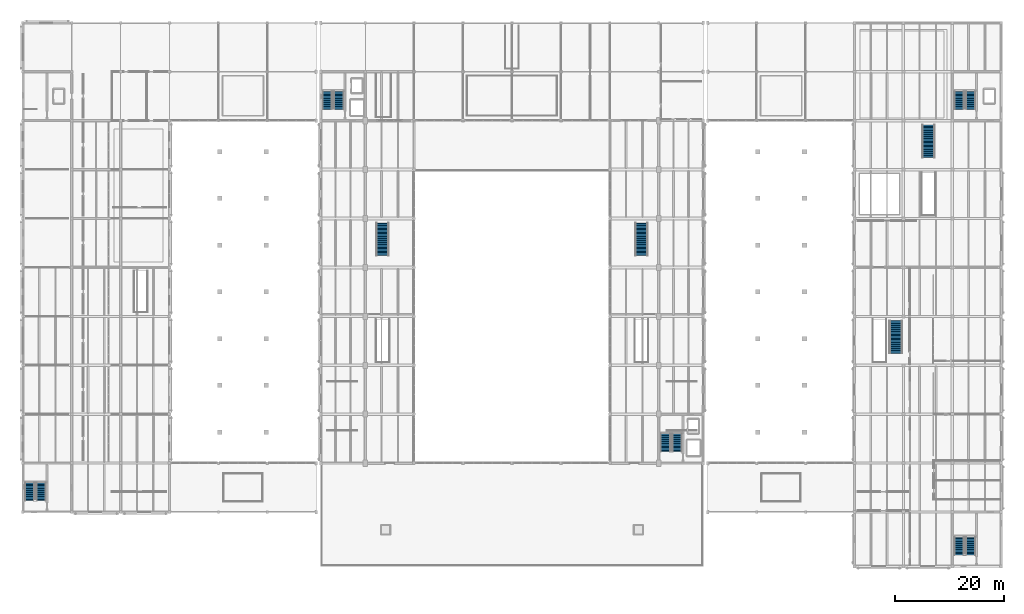
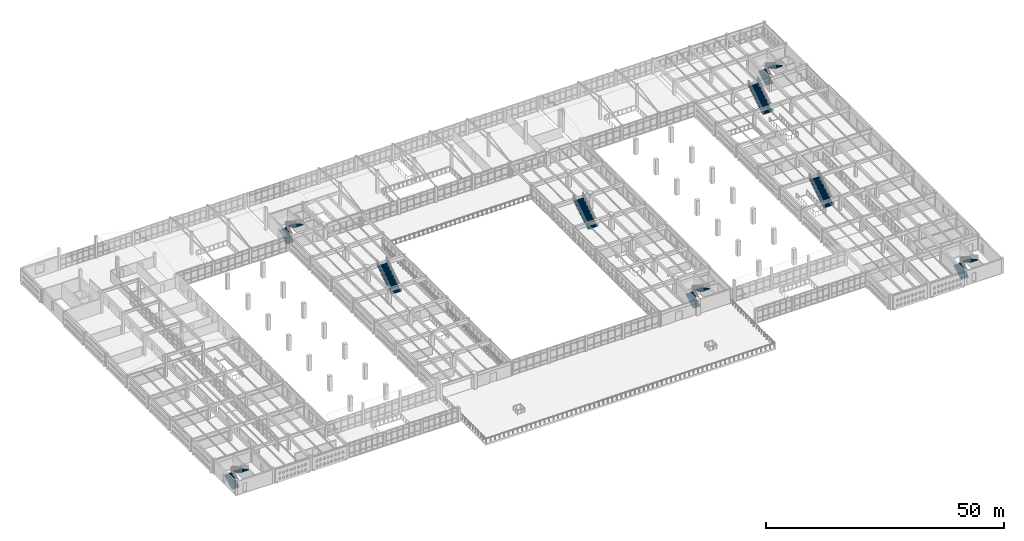
# One storey, part 137 of 156: 14 stair flights, 9 elements without a shape of their own.
"""IFC4 building model written with IfcOpenShell, lengths in metres."""

from ifc_helpers import new_model, si_unit, direction, frame, origin, place, context, subcontext, project, spatial, polyline, outline, extrude, material, type_object, element, aggregate, save


model = new_model("IFC4")

# Units and contexts
model_context = context("Model", 3, precision=1e-05, world=origin(), true_north=direction((0.0, 1.0)))
body_context = subcontext(model_context, "Body", "Model", "MODEL_VIEW")
ifc_project = project(units=[si_unit("LENGTHUNIT", "METRE"), si_unit("AREAUNIT", "SQUARE_METRE"), si_unit("VOLUMEUNIT", "CUBIC_METRE"), si_unit("PLANEANGLEUNIT", "RADIAN"), si_unit("MASSUNIT", "GRAM", prefix="KILO")], contexts=[model_context])

# Site, building, storey
site_placement = place(None, origin())
site = spatial("IfcSite", under=ifc_project, at=site_placement, CompositionType="ELEMENT")
building_placement = place(site_placement, origin())
building = spatial("IfcBuilding", under=site, at=building_placement, Name="Ornek Quay Market", CompositionType="ELEMENT")
storey_placement = place(building_placement, frame((0.0, 0.0, 4.5)))
storey = spatial("IfcBuildingStorey", under=building, at=storey_placement, Name="L01", CompositionType="ELEMENT", Elevation=4.5)

# Stair, stair flight
ifc_material = material(Name="Precast concrete C40/50", Category="concrete")
stair_type_1 = type_object("IfcStairType", Name="ST-CORE-L03-RF", PredefinedType="HALF_TURN_STAIR", material=ifc_material)
stair_1_placement = place(storey_placement, origin())
stair_1 = element("IfcStair", 1, at=stair_1_placement, inside=storey, type_object=stair_type_1, Name="Gallery stair ST-16 (L01 to L02)", PredefinedType="HALF_TURN_STAIR")
stair_flight_type_1 = type_object("IfcStairFlightType", Name="STF-1350-WAIST165", PredefinedType="STRAIGHT", material=ifc_material)
stair_flight_1_placement = place(storey_placement, frame((160.60009765625, 49.2041015625, 0.0), z_axis=(0.0, 0.0, 1.0), x_axis=(0.0, 1.0, 0.0)))
stair_flight_1 = element("IfcStairFlight", 2, at=stair_flight_1_placement, type_object=stair_flight_type_1, Name="ST-16 flight 1", NumberOfRisers=25, NumberOfTreads=24, PredefinedType="STRAIGHT", RiserHeight=0.156, TreadLength=0.25, context=body_context, shape_type="SweptSolid", body=[
    extrude(outline(polyline([(0.0, 0.0), (0.0, 0.156005859375), (0.25, 0.156005859375), (0.25, 0.31201171875), (0.5, 0.31201171875), (0.5, 0.468017578125), (0.75, 0.468017578125), (0.75, 0.6240234375), (1.0, 0.6240234375), (1.0, 0.780029296875), (1.25, 0.780029296875), (1.25, 0.93603515625), (1.5, 0.93603515625), (1.5, 1.092041015625), (1.75, 1.092041015625), (1.75, 1.248046875), (2.0, 1.248046875), (2.0, 1.404052734375), (2.25, 1.404052734375), (2.25, 1.56005859375), (2.5, 1.56005859375), (2.5, 1.716064453125), (2.75, 1.716064453125), (2.75, 1.8720703125), (3.0, 1.8720703125), (3.0, 2.028076171875), (3.25, 2.028076171875), (3.25, 2.18408203125), (3.5, 2.18408203125), (3.5, 2.340087890625), (3.75, 2.340087890625), (3.75, 2.49609375), (4.0, 2.49609375), (4.0, 2.652099609375), (4.25, 2.652099609375), (4.25, 2.80810546875), (4.5, 2.80810546875), (4.5, 2.964111328125), (4.75, 2.964111328125), (4.75, 3.1201171875), (5.0, 3.1201171875), (5.0, 3.27587890625), (5.25, 3.27587890625), (5.25, 3.431884765625), (5.5, 3.431884765625), (5.5, 3.587890625), (5.75, 3.587890625), (5.75, 3.743896484375), (6.0, 3.743896484375), (6.0, 3.89990234375), (6.0, 3.531982421875), (0.33984375, 0.0), (0.0, 0.0)])), frame((0.0, 1.18017578125, 0.0), z_axis=(0.0, -1.0, 0.0), x_axis=(1.0, 0.0, 0.0)), (0.0, 0.0, 1.0), 2.360107421875),
])
aggregate(stair_1, [stair_flight_1])

stair_type_2 = type_object("IfcStairType", Name="ST-HALL-GAL-L01", PredefinedType="STRAIGHT_RUN_STAIR", material=ifc_material)
stair_2_placement = place(storey_placement, origin())
stair_2 = element("IfcStair", 3, at=stair_2_placement, inside=storey, type_object=stair_type_2, Name="Gallery stair ST-09 (L01 to L02)", PredefinedType="STRAIGHT_RUN_STAIR")
stair_flight_type_2 = type_object("IfcStairFlightType", Name="STF-1650-WAIST190", PredefinedType="STRAIGHT", material=ifc_material)
stair_flight_2_placement = place(storey_placement, frame((66.199951171875, 67.2041015625, 0.0), z_axis=(0.0, 0.0, 1.0), x_axis=(0.0, 1.0, 0.0)))
stair_flight_2 = element("IfcStairFlight", 4, at=stair_flight_2_placement, type_object=stair_flight_type_2, Name="ST-09 flight 1", NumberOfRisers=25, NumberOfTreads=24, PredefinedType="STRAIGHT", RiserHeight=0.156, TreadLength=0.25, context=body_context, shape_type="SweptSolid", body=[
    extrude(outline(polyline([(0.0, 0.0), (0.0, 0.156005859375), (0.25, 0.156005859375), (0.25, 0.31201171875), (0.5, 0.31201171875), (0.5, 0.468017578125), (0.75, 0.468017578125), (0.75, 0.6240234375), (1.0, 0.6240234375), (1.0, 0.780029296875), (1.25, 0.780029296875), (1.25, 0.93603515625), (1.5, 0.93603515625), (1.5, 1.092041015625), (1.75, 1.092041015625), (1.75, 1.248046875), (2.0, 1.248046875), (2.0, 1.404052734375), (2.25, 1.404052734375), (2.25, 1.56005859375), (2.5, 1.56005859375), (2.5, 1.716064453125), (2.75, 1.716064453125), (2.75, 1.8720703125), (3.0, 1.8720703125), (3.0, 2.028076171875), (3.25, 2.028076171875), (3.25, 2.18408203125), (3.5, 2.18408203125), (3.5, 2.340087890625), (3.75, 2.340087890625), (3.75, 2.49609375), (4.0, 2.49609375), (4.0, 2.652099609375), (4.25, 2.652099609375), (4.25, 2.80810546875), (4.5, 2.80810546875), (4.5, 2.964111328125), (4.75, 2.964111328125), (4.75, 3.1201171875), (5.0, 3.1201171875), (5.0, 3.27587890625), (5.25, 3.27587890625), (5.25, 3.431884765625), (5.5, 3.431884765625), (5.5, 3.587890625), (5.75, 3.587890625), (5.75, 3.743896484375), (6.0, 3.743896484375), (6.0, 3.89990234375), (6.0, 3.531982421875), (0.33984375, 0.0), (0.0, 0.0)])), frame((0.0, 1.18017578125, 0.0), z_axis=(0.0, -1.0, 0.0), x_axis=(1.0, 0.0, 0.0)), (0.0, 0.0, 1.0), 2.360107421875),
])
aggregate(stair_2, [stair_flight_2])

stair_3_placement = place(storey_placement, origin())
stair_3 = element("IfcStair", 5, at=stair_3_placement, inside=storey, type_object=stair_type_2, Name="Gallery stair ST-10 (L01 to L02)", PredefinedType="STRAIGHT_RUN_STAIR")
stair_flight_3_placement = place(storey_placement, frame((113.800048828125, 67.2041015625, 0.0), z_axis=(0.0, 0.0, 1.0), x_axis=(0.0, 1.0, 0.0)))
stair_flight_3 = element("IfcStairFlight", 6, at=stair_flight_3_placement, type_object=stair_flight_type_2, Name="ST-10 flight 1", NumberOfRisers=25, NumberOfTreads=24, PredefinedType="STRAIGHT", RiserHeight=0.156, TreadLength=0.25, context=body_context, shape_type="SweptSolid", body=[
    extrude(outline(polyline([(0.0, 0.0), (0.0, 0.156005859375), (0.25, 0.156005859375), (0.25, 0.31201171875), (0.5, 0.31201171875), (0.5, 0.468017578125), (0.75, 0.468017578125), (0.75, 0.6240234375), (1.0, 0.6240234375), (1.0, 0.780029296875), (1.25, 0.780029296875), (1.25, 0.93603515625), (1.5, 0.93603515625), (1.5, 1.092041015625), (1.75, 1.092041015625), (1.75, 1.248046875), (2.0, 1.248046875), (2.0, 1.404052734375), (2.25, 1.404052734375), (2.25, 1.56005859375), (2.5, 1.56005859375), (2.5, 1.716064453125), (2.75, 1.716064453125), (2.75, 1.8720703125), (3.0, 1.8720703125), (3.0, 2.028076171875), (3.25, 2.028076171875), (3.25, 2.18408203125), (3.5, 2.18408203125), (3.5, 2.340087890625), (3.75, 2.340087890625), (3.75, 2.49609375), (4.0, 2.49609375), (4.0, 2.652099609375), (4.25, 2.652099609375), (4.25, 2.80810546875), (4.5, 2.80810546875), (4.5, 2.964111328125), (4.75, 2.964111328125), (4.75, 3.1201171875), (5.0, 3.1201171875), (5.0, 3.27587890625), (5.25, 3.27587890625), (5.25, 3.431884765625), (5.5, 3.431884765625), (5.5, 3.587890625), (5.75, 3.587890625), (5.75, 3.743896484375), (6.0, 3.743896484375), (6.0, 3.89990234375), (6.0, 3.531982421875), (0.33984375, 0.0), (0.0, 0.0)])), frame((0.0, 1.18017578125, 0.0), z_axis=(0.0, -1.0, 0.0), x_axis=(1.0, 0.0, 0.0)), (0.0, 0.0, 1.0), 2.360107421875),
])
aggregate(stair_3, [stair_flight_3])

stair_4_placement = place(storey_placement, origin())
stair_4 = element("IfcStair", 7, at=stair_4_placement, inside=storey, type_object=stair_type_2, Name="Gallery stair ST-14 (L01 to L02)", PredefinedType="STRAIGHT_RUN_STAIR")
stair_flight_4_placement = place(storey_placement, frame((166.60009765625, 85.2041015625, 0.0), z_axis=(0.0, 0.0, 1.0), x_axis=(0.0, 1.0, 0.0)))
stair_flight_4 = element("IfcStairFlight", 8, at=stair_flight_4_placement, type_object=stair_flight_type_2, Name="ST-14 flight 1", NumberOfRisers=25, NumberOfTreads=24, PredefinedType="STRAIGHT", RiserHeight=0.156, TreadLength=0.25, context=body_context, shape_type="SweptSolid", body=[
    extrude(outline(polyline([(0.0, 0.0), (0.0, 0.156005859375), (0.25, 0.156005859375), (0.25, 0.31201171875), (0.5, 0.31201171875), (0.5, 0.468017578125), (0.75, 0.468017578125), (0.75, 0.6240234375), (1.0, 0.6240234375), (1.0, 0.780029296875), (1.25, 0.780029296875), (1.25, 0.93603515625), (1.5, 0.93603515625), (1.5, 1.092041015625), (1.75, 1.092041015625), (1.75, 1.248046875), (2.0, 1.248046875), (2.0, 1.404052734375), (2.25, 1.404052734375), (2.25, 1.56005859375), (2.5, 1.56005859375), (2.5, 1.716064453125), (2.75, 1.716064453125), (2.75, 1.8720703125), (3.0, 1.8720703125), (3.0, 2.028076171875), (3.25, 2.028076171875), (3.25, 2.18408203125), (3.5, 2.18408203125), (3.5, 2.340087890625), (3.75, 2.340087890625), (3.75, 2.49609375), (4.0, 2.49609375), (4.0, 2.652099609375), (4.25, 2.652099609375), (4.25, 2.80810546875), (4.5, 2.80810546875), (4.5, 2.964111328125), (4.75, 2.964111328125), (4.75, 3.1201171875), (5.0, 3.1201171875), (5.0, 3.27587890625), (5.25, 3.27587890625), (5.25, 3.431884765625), (5.5, 3.431884765625), (5.5, 3.587890625), (5.75, 3.587890625), (5.75, 3.743896484375), (6.0, 3.743896484375), (6.0, 3.89990234375), (6.0, 3.531982421875), (0.33984375, 0.0), (0.0, 0.0)])), frame((0.0, 1.18017578125, 0.0), z_axis=(0.0, -1.0, 0.0), x_axis=(1.0, 0.0, 0.0)), (0.0, 0.0, 1.0), 2.360107421875),
])
aggregate(stair_4, [stair_flight_4])

# Stair, stair flights
stair_type_3 = type_object("IfcStairType", Name="ST-CORE-L01-L02", PredefinedType="HALF_TURN_STAIR", material=ifc_material)
stair_5_placement = place(storey_placement, origin())
stair_5 = element("IfcStair", 9, at=stair_5_placement, inside=storey, type_object=stair_type_3, Name="Core stair ST-02-L01 (L01 to L02)", PredefinedType="HALF_TURN_STAIR")
stair_flight_type_3 = type_object("IfcStairFlightType", Name="STF-1800-WAIST200", PredefinedType="STRAIGHT", material=ifc_material)
stair_flight_5_placement = place(storey_placement, frame((1.199951171875, 22.095947265625, 0.0), z_axis=(0.0, 0.0, 1.0), x_axis=(0.0, 1.0, 0.0)))
stair_flight_5 = element("IfcStairFlight", 10, at=stair_flight_5_placement, type_object=stair_flight_type_3, Name="ST-02-L01 flight 1", NumberOfRisers=14, NumberOfTreads=13, PredefinedType="STRAIGHT", RiserHeight=0.139285714, TreadLength=0.25, context=body_context, shape_type="SweptSolid", body=[
    extrude(outline(polyline([(0.0, 0.0), (0.0, 0.139404296875), (0.25, 0.139404296875), (0.25, 0.278564453125), (0.5, 0.278564453125), (0.5, 0.41796875), (0.75, 0.41796875), (0.75, 0.55712890625), (1.0, 0.55712890625), (1.0, 0.696533203125), (1.25, 0.696533203125), (1.25, 0.835693359375), (1.5, 0.835693359375), (1.5, 0.97509765625), (1.75, 0.97509765625), (1.75, 1.1142578125), (2.0, 1.1142578125), (2.0, 1.253662109375), (2.25, 1.253662109375), (2.25, 1.392822265625), (2.5, 1.392822265625), (2.5, 1.5322265625), (2.75, 1.5322265625), (2.75, 1.67138671875), (3.0, 1.67138671875), (3.0, 1.810791015625), (3.25, 1.810791015625), (3.25, 1.949951171875), (3.25, 1.621826171875), (0.339111328125, 0.0), (0.0, 0.0)])), frame((0.0, 0.89990234375, 0.0), z_axis=(0.0, -1.0, 0.0), x_axis=(1.0, 0.0, 0.0)), (0.0, 0.0, 1.0), 1.800048828125),
])
stair_flight_6_placement = place(storey_placement, frame((3.39990234375, 25.345947265625, 1.949951171875), z_axis=(0.0, 0.0, 1.0), x_axis=(0.0, -1.0, 0.0)))
stair_flight_6 = element("IfcStairFlight", 11, at=stair_flight_6_placement, type_object=stair_flight_type_3, Name="ST-02-L01 flight 2", NumberOfRisers=14, NumberOfTreads=13, PredefinedType="STRAIGHT", RiserHeight=0.139285714, TreadLength=0.25, context=body_context, shape_type="SweptSolid", body=[
    extrude(outline(polyline([(0.0, 0.0), (0.0, 0.139404296875), (0.25, 0.139404296875), (0.25, 0.278564453125), (0.5, 0.278564453125), (0.5, 0.41796875), (0.75, 0.41796875), (0.75, 0.55712890625), (1.0, 0.55712890625), (1.0, 0.696533203125), (1.25, 0.696533203125), (1.25, 0.835693359375), (1.5, 0.835693359375), (1.5, 0.97509765625), (1.75, 0.97509765625), (1.75, 1.1142578125), (2.0, 1.1142578125), (2.0, 1.253662109375), (2.25, 1.253662109375), (2.25, 1.392822265625), (2.5, 1.392822265625), (2.5, 1.5322265625), (2.75, 1.5322265625), (2.75, 1.67138671875), (3.0, 1.67138671875), (3.0, 1.810791015625), (3.25, 1.810791015625), (3.25, 1.949951171875), (3.25, 1.621826171875), (0.339111328125, 0.0), (0.0, 0.0)])), frame((0.0, 0.89990234375, 0.0), z_axis=(0.0, -1.0, 0.0), x_axis=(1.0, 0.0, 0.0)), (0.0, 0.0, 1.0), 1.800048828125),
])
aggregate(stair_5, [stair_flight_5, stair_flight_6])

stair_6_placement = place(storey_placement, origin())
stair_6 = element("IfcStair", 12, at=stair_6_placement, inside=storey, type_object=stair_type_3, Name="Core stair ST-03-L01 (L01 to L02)", PredefinedType="HALF_TURN_STAIR")
stair_flight_7_placement = place(storey_placement, frame((56.0, 94.095947265625, 0.0), z_axis=(0.0, 0.0, 1.0), x_axis=(0.0, 1.0, 0.0)))
stair_flight_7 = element("IfcStairFlight", 13, at=stair_flight_7_placement, type_object=stair_flight_type_3, Name="ST-03-L01 flight 1", NumberOfRisers=14, NumberOfTreads=13, PredefinedType="STRAIGHT", RiserHeight=0.139285714, TreadLength=0.25, context=body_context, shape_type="SweptSolid", body=[
    extrude(outline(polyline([(0.0, 0.0), (0.0, 0.139404296875), (0.25, 0.139404296875), (0.25, 0.278564453125), (0.5, 0.278564453125), (0.5, 0.41796875), (0.75, 0.41796875), (0.75, 0.55712890625), (1.0, 0.55712890625), (1.0, 0.696533203125), (1.25, 0.696533203125), (1.25, 0.835693359375), (1.5, 0.835693359375), (1.5, 0.97509765625), (1.75, 0.97509765625), (1.75, 1.1142578125), (2.0, 1.1142578125), (2.0, 1.253662109375), (2.25, 1.253662109375), (2.25, 1.392822265625), (2.5, 1.392822265625), (2.5, 1.5322265625), (2.75, 1.5322265625), (2.75, 1.67138671875), (3.0, 1.67138671875), (3.0, 1.810791015625), (3.25, 1.810791015625), (3.25, 1.949951171875), (3.25, 1.621826171875), (0.339111328125, 0.0), (0.0, 0.0)])), frame((0.0, 0.89990234375, 0.0), z_axis=(0.0, -1.0, 0.0), x_axis=(1.0, 0.0, 0.0)), (0.0, 0.0, 1.0), 1.800048828125),
])
stair_flight_8_placement = place(storey_placement, frame((58.199951171875, 97.345947265625, 1.949951171875), z_axis=(0.0, 0.0, 1.0), x_axis=(0.0, -1.0, 0.0)))
stair_flight_8 = element("IfcStairFlight", 14, at=stair_flight_8_placement, type_object=stair_flight_type_3, Name="ST-03-L01 flight 2", NumberOfRisers=14, NumberOfTreads=13, PredefinedType="STRAIGHT", RiserHeight=0.139285714, TreadLength=0.25, context=body_context, shape_type="SweptSolid", body=[
    extrude(outline(polyline([(0.0, 0.0), (0.0, 0.139404296875), (0.25, 0.139404296875), (0.25, 0.278564453125), (0.5, 0.278564453125), (0.5, 0.41796875), (0.75, 0.41796875), (0.75, 0.55712890625), (1.0, 0.55712890625), (1.0, 0.696533203125), (1.25, 0.696533203125), (1.25, 0.835693359375), (1.5, 0.835693359375), (1.5, 0.97509765625), (1.75, 0.97509765625), (1.75, 1.1142578125), (2.0, 1.1142578125), (2.0, 1.253662109375), (2.25, 1.253662109375), (2.25, 1.392822265625), (2.5, 1.392822265625), (2.5, 1.5322265625), (2.75, 1.5322265625), (2.75, 1.67138671875), (3.0, 1.67138671875), (3.0, 1.810791015625), (3.25, 1.810791015625), (3.25, 1.949951171875), (3.25, 1.621826171875), (0.339111328125, 0.0), (0.0, 0.0)])), frame((0.0, 0.89990234375, 0.0), z_axis=(0.0, -1.0, 0.0), x_axis=(1.0, 0.0, 0.0)), (0.0, 0.0, 1.0), 1.800048828125),
])
aggregate(stair_6, [stair_flight_7, stair_flight_8])

stair_7_placement = place(storey_placement, origin())
stair_7 = element("IfcStair", 15, at=stair_7_placement, inside=storey, type_object=stair_type_3, Name="Core stair ST-04-L01 (L01 to L02)", PredefinedType="HALF_TURN_STAIR")
stair_flight_9_placement = place(storey_placement, frame((118.199951171875, 31.095947265625, 0.0), z_axis=(0.0, 0.0, 1.0), x_axis=(0.0, 1.0, 0.0)))
stair_flight_9 = element("IfcStairFlight", 16, at=stair_flight_9_placement, type_object=stair_flight_type_3, Name="ST-04-L01 flight 1", NumberOfRisers=14, NumberOfTreads=13, PredefinedType="STRAIGHT", RiserHeight=0.139285714, TreadLength=0.25, context=body_context, shape_type="SweptSolid", body=[
    extrude(outline(polyline([(0.0, 0.0), (0.0, 0.139404296875), (0.25, 0.139404296875), (0.25, 0.278564453125), (0.5, 0.278564453125), (0.5, 0.41796875), (0.75, 0.41796875), (0.75, 0.55712890625), (1.0, 0.55712890625), (1.0, 0.696533203125), (1.25, 0.696533203125), (1.25, 0.835693359375), (1.5, 0.835693359375), (1.5, 0.97509765625), (1.75, 0.97509765625), (1.75, 1.1142578125), (2.0, 1.1142578125), (2.0, 1.253662109375), (2.25, 1.253662109375), (2.25, 1.392822265625), (2.5, 1.392822265625), (2.5, 1.5322265625), (2.75, 1.5322265625), (2.75, 1.67138671875), (3.0, 1.67138671875), (3.0, 1.810791015625), (3.25, 1.810791015625), (3.25, 1.949951171875), (3.25, 1.621826171875), (0.339111328125, 0.0), (0.0, 0.0)])), frame((0.0, 0.89990234375, 0.0), z_axis=(0.0, -1.0, 0.0), x_axis=(1.0, 0.0, 0.0)), (0.0, 0.0, 1.0), 1.800048828125),
])
stair_flight_10_placement = place(storey_placement, frame((120.39990234375, 34.345947265625, 1.949951171875), z_axis=(0.0, 0.0, 1.0), x_axis=(0.0, -1.0, 0.0)))
stair_flight_10 = element("IfcStairFlight", 17, at=stair_flight_10_placement, type_object=stair_flight_type_3, Name="ST-04-L01 flight 2", NumberOfRisers=14, NumberOfTreads=13, PredefinedType="STRAIGHT", RiserHeight=0.139285714, TreadLength=0.25, context=body_context, shape_type="SweptSolid", body=[
    extrude(outline(polyline([(0.0, 0.0), (0.0, 0.139404296875), (0.25, 0.139404296875), (0.25, 0.278564453125), (0.5, 0.278564453125), (0.5, 0.41796875), (0.75, 0.41796875), (0.75, 0.55712890625), (1.0, 0.55712890625), (1.0, 0.696533203125), (1.25, 0.696533203125), (1.25, 0.835693359375), (1.5, 0.835693359375), (1.5, 0.97509765625), (1.75, 0.97509765625), (1.75, 1.1142578125), (2.0, 1.1142578125), (2.0, 1.253662109375), (2.25, 1.253662109375), (2.25, 1.392822265625), (2.5, 1.392822265625), (2.5, 1.5322265625), (2.75, 1.5322265625), (2.75, 1.67138671875), (3.0, 1.67138671875), (3.0, 1.810791015625), (3.25, 1.810791015625), (3.25, 1.949951171875), (3.25, 1.621826171875), (0.339111328125, 0.0), (0.0, 0.0)])), frame((0.0, 0.89990234375, 0.0), z_axis=(0.0, -1.0, 0.0), x_axis=(1.0, 0.0, 0.0)), (0.0, 0.0, 1.0), 1.800048828125),
])
aggregate(stair_7, [stair_flight_9, stair_flight_10])

stair_8_placement = place(storey_placement, origin())
stair_8 = element("IfcStair", 18, at=stair_8_placement, inside=storey, type_object=stair_type_3, Name="Core stair ST-05-L01 (L01 to L02)", PredefinedType="HALF_TURN_STAIR")
stair_flight_11_placement = place(storey_placement, frame((172.199951171875, 94.095947265625, 0.0), z_axis=(0.0, 0.0, 1.0), x_axis=(0.0, 1.0, 0.0)))
stair_flight_11 = element("IfcStairFlight", 19, at=stair_flight_11_placement, type_object=stair_flight_type_3, Name="ST-05-L01 flight 1", NumberOfRisers=14, NumberOfTreads=13, PredefinedType="STRAIGHT", RiserHeight=0.139285714, TreadLength=0.25, context=body_context, shape_type="SweptSolid", body=[
    extrude(outline(polyline([(0.0, 0.0), (0.0, 0.139404296875), (0.25, 0.139404296875), (0.25, 0.278564453125), (0.5, 0.278564453125), (0.5, 0.41796875), (0.75, 0.41796875), (0.75, 0.55712890625), (1.0, 0.55712890625), (1.0, 0.696533203125), (1.25, 0.696533203125), (1.25, 0.835693359375), (1.5, 0.835693359375), (1.5, 0.97509765625), (1.75, 0.97509765625), (1.75, 1.1142578125), (2.0, 1.1142578125), (2.0, 1.253662109375), (2.25, 1.253662109375), (2.25, 1.392822265625), (2.5, 1.392822265625), (2.5, 1.5322265625), (2.75, 1.5322265625), (2.75, 1.67138671875), (3.0, 1.67138671875), (3.0, 1.810791015625), (3.25, 1.810791015625), (3.25, 1.949951171875), (3.25, 1.621826171875), (0.339111328125, 0.0), (0.0, 0.0)])), frame((0.0, 0.89990234375, 0.0), z_axis=(0.0, -1.0, 0.0), x_axis=(1.0, 0.0, 0.0)), (0.0, 0.0, 1.0), 1.800048828125),
])
stair_flight_12_placement = place(storey_placement, frame((174.39990234375, 97.345947265625, 1.949951171875), z_axis=(0.0, 0.0, 1.0), x_axis=(0.0, -1.0, 0.0)))
stair_flight_12 = element("IfcStairFlight", 20, at=stair_flight_12_placement, type_object=stair_flight_type_3, Name="ST-05-L01 flight 2", NumberOfRisers=14, NumberOfTreads=13, PredefinedType="STRAIGHT", RiserHeight=0.139285714, TreadLength=0.25, context=body_context, shape_type="SweptSolid", body=[
    extrude(outline(polyline([(0.0, 0.0), (0.0, 0.139404296875), (0.25, 0.139404296875), (0.25, 0.278564453125), (0.5, 0.278564453125), (0.5, 0.41796875), (0.75, 0.41796875), (0.75, 0.55712890625), (1.0, 0.55712890625), (1.0, 0.696533203125), (1.25, 0.696533203125), (1.25, 0.835693359375), (1.5, 0.835693359375), (1.5, 0.97509765625), (1.75, 0.97509765625), (1.75, 1.1142578125), (2.0, 1.1142578125), (2.0, 1.253662109375), (2.25, 1.253662109375), (2.25, 1.392822265625), (2.5, 1.392822265625), (2.5, 1.5322265625), (2.75, 1.5322265625), (2.75, 1.67138671875), (3.0, 1.67138671875), (3.0, 1.810791015625), (3.25, 1.810791015625), (3.25, 1.949951171875), (3.25, 1.621826171875), (0.339111328125, 0.0), (0.0, 0.0)])), frame((0.0, 0.89990234375, 0.0), z_axis=(0.0, -1.0, 0.0), x_axis=(1.0, 0.0, 0.0)), (0.0, 0.0, 1.0), 1.800048828125),
])
aggregate(stair_8, [stair_flight_11, stair_flight_12])

stair_9_placement = place(storey_placement, origin())
stair_9 = element("IfcStair", 21, at=stair_9_placement, inside=storey, type_object=stair_type_3, Name="Core stair ST-06-L01 (L01 to L02)", PredefinedType="HALF_TURN_STAIR")
stair_flight_13_placement = place(storey_placement, frame((172.199951171875, 12.095947265625, 0.0), z_axis=(0.0, 0.0, 1.0), x_axis=(0.0, 1.0, 0.0)))
stair_flight_13 = element("IfcStairFlight", 22, at=stair_flight_13_placement, type_object=stair_flight_type_3, Name="ST-06-L01 flight 1", NumberOfRisers=14, NumberOfTreads=13, PredefinedType="STRAIGHT", RiserHeight=0.139285714, TreadLength=0.25, context=body_context, shape_type="SweptSolid", body=[
    extrude(outline(polyline([(0.0, 0.0), (0.0, 0.139404296875), (0.25, 0.139404296875), (0.25, 0.278564453125), (0.5, 0.278564453125), (0.5, 0.41796875), (0.75, 0.41796875), (0.75, 0.55712890625), (1.0, 0.55712890625), (1.0, 0.696533203125), (1.25, 0.696533203125), (1.25, 0.835693359375), (1.5, 0.835693359375), (1.5, 0.97509765625), (1.75, 0.97509765625), (1.75, 1.1142578125), (2.0, 1.1142578125), (2.0, 1.253662109375), (2.25, 1.253662109375), (2.25, 1.392822265625), (2.5, 1.392822265625), (2.5, 1.5322265625), (2.75, 1.5322265625), (2.75, 1.67138671875), (3.0, 1.67138671875), (3.0, 1.810791015625), (3.25, 1.810791015625), (3.25, 1.949951171875), (3.25, 1.621826171875), (0.339111328125, 0.0), (0.0, 0.0)])), frame((0.0, 0.89990234375, 0.0), z_axis=(0.0, -1.0, 0.0), x_axis=(1.0, 0.0, 0.0)), (0.0, 0.0, 1.0), 1.800048828125),
])
stair_flight_14_placement = place(storey_placement, frame((174.39990234375, 15.345947265625, 1.949951171875), z_axis=(0.0, 0.0, 1.0), x_axis=(0.0, -1.0, 0.0)))
stair_flight_14 = element("IfcStairFlight", 23, at=stair_flight_14_placement, type_object=stair_flight_type_3, Name="ST-06-L01 flight 2", NumberOfRisers=14, NumberOfTreads=13, PredefinedType="STRAIGHT", RiserHeight=0.139285714, TreadLength=0.25, context=body_context, shape_type="SweptSolid", body=[
    extrude(outline(polyline([(0.0, 0.0), (0.0, 0.139404296875), (0.25, 0.139404296875), (0.25, 0.278564453125), (0.5, 0.278564453125), (0.5, 0.41796875), (0.75, 0.41796875), (0.75, 0.55712890625), (1.0, 0.55712890625), (1.0, 0.696533203125), (1.25, 0.696533203125), (1.25, 0.835693359375), (1.5, 0.835693359375), (1.5, 0.97509765625), (1.75, 0.97509765625), (1.75, 1.1142578125), (2.0, 1.1142578125), (2.0, 1.253662109375), (2.25, 1.253662109375), (2.25, 1.392822265625), (2.5, 1.392822265625), (2.5, 1.5322265625), (2.75, 1.5322265625), (2.75, 1.67138671875), (3.0, 1.67138671875), (3.0, 1.810791015625), (3.25, 1.810791015625), (3.25, 1.949951171875), (3.25, 1.621826171875), (0.339111328125, 0.0), (0.0, 0.0)])), frame((0.0, 0.89990234375, 0.0), z_axis=(0.0, -1.0, 0.0), x_axis=(1.0, 0.0, 0.0)), (0.0, 0.0, 1.0), 1.800048828125),
])
aggregate(stair_9, [stair_flight_13, stair_flight_14])

save(model, "model.ifc")
